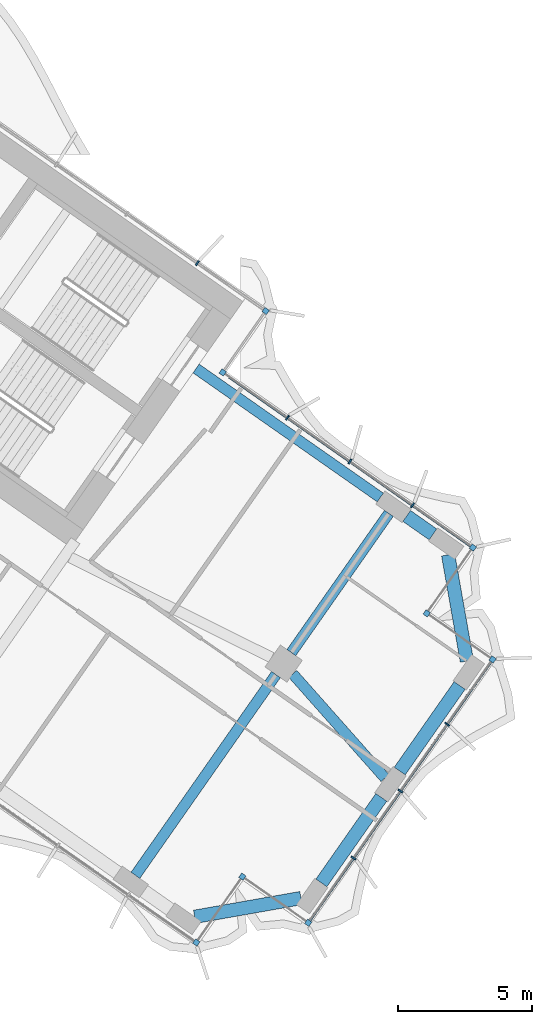
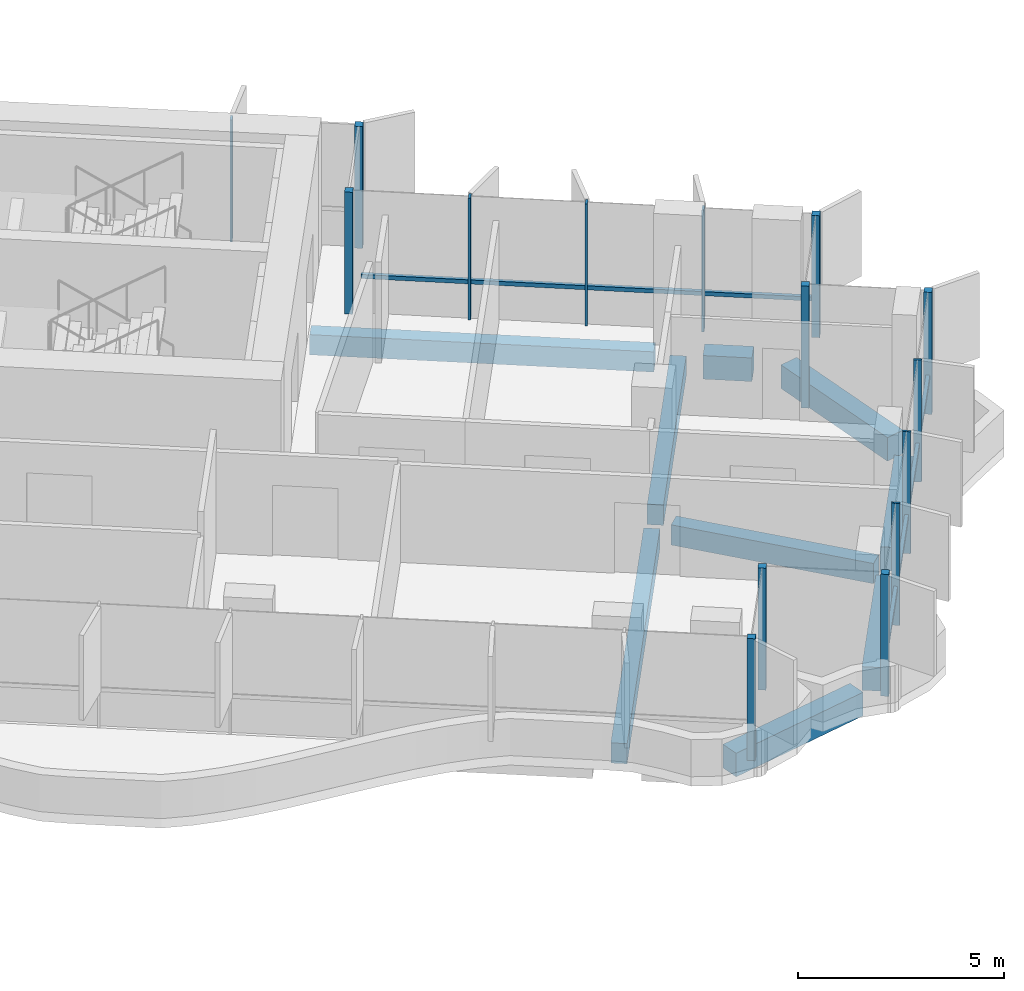
# One storey, part 11 of 23: 17 members, 9 beams, 2 elements without a shape of their own.
"""IFC4 building model written with IfcOpenShell, lengths in metres."""

from ifc_helpers import new_model, si_unit, direction, frame, origin, origin_2d, place, context, subcontext, project, spatial, rectangle, extrude, material, material_profile, profile_set, type_object, element, aggregate, save


model = new_model("IFC4")

# Units and contexts
model_context = context("Model", 3, precision=1e-05, world=origin(), true_north=direction((0.0, 1.0)))
body_context = subcontext(model_context, "Body", "Model", "MODEL_VIEW")
ifc_project = project(units=[si_unit("LENGTHUNIT", "METRE"), si_unit("AREAUNIT", "SQUARE_METRE"), si_unit("VOLUMEUNIT", "CUBIC_METRE"), si_unit("PLANEANGLEUNIT", "RADIAN"), si_unit("MASSUNIT", "GRAM", prefix="KILO")], contexts=[model_context])

# Site, building, storey
site_placement = place(None, origin())
site = spatial("IfcSite", under=ifc_project, at=site_placement, CompositionType="ELEMENT")
building_placement = place(site_placement, origin())
building = spatial("IfcBuilding", under=site, at=building_placement, Name="Tel Ilan Convention Tower", CompositionType="ELEMENT")
storey_placement = place(building_placement, frame((0.0, 0.0, 178.800048828125)))
storey = spatial("IfcBuildingStorey", under=building, at=storey_placement, Name="L41", CompositionType="ELEMENT", Elevation=178.800048828125)

# Beams
ifc_material_1 = material(Name="Concrete C40/50", Category="concrete")
ifc_material_profile_1 = material_profile(ifc_material_1, rectangle(XDim=0.39990234375, YDim=0.60009765625, at=origin_2d()), Name="RC 400x600")
ifc_profile_set_1 = profile_set([ifc_material_profile_1], Name="Concrete C40/50")
beam_type_1 = type_object("IfcBeamType", Name="Beam RC 400x600 Concrete C40/50", PredefinedType="BEAM", material=ifc_profile_set_1)
beam_1_placement = place(storey_placement, frame((33.09912109375, -14.44775390625, -0.580078125), z_axis=(-0.819147254605, 0.573583276668, 0.0), x_axis=(-0.573583276668, -0.819147254605, 0.0)))
element("IfcBeam", 1, at=beam_1_placement, inside=storey, type_object=beam_type_1, Name="L41 beam E-E-B4-core", PredefinedType="BEAM", context=body_context, shape_type="SweptSolid", body=[
    extrude(rectangle(XDim=0.39990234375, YDim=0.60009765625, at=origin_2d()), origin(), (0.0, 0.0, 1.0), 8.400146484375),
])
beam_2_placement = place(storey_placement, frame((29.830322265625, -21.03369140625, -0.580078125), z_axis=(0.663175252401, -0.748464150512, 0.0), x_axis=(0.748464150512, 0.663175252401, 0.0)))
element("IfcBeam", 2, at=beam_2_placement, inside=storey, type_object=beam_type_1, Name="L41 beam E-E-M4-end", PredefinedType="BEAM", context=body_context, shape_type="SweptSolid", body=[
    extrude(rectangle(XDim=0.39990234375, YDim=0.60009765625, at=origin_2d()), origin(), (0.0, 0.0, 1.0), 5.192626953125),
])
beam_3_placement = place(storey_placement, frame((29.20263671875, -21.058349609375, -0.580078125), z_axis=(-0.573557249804, -0.819165478519, 0.0), x_axis=(0.819165478519, -0.573557249804, 0.0)))
element("IfcBeam", 3, at=beam_3_placement, inside=storey, type_object=beam_type_1, Name="L41 beam E-E-M4-E-F4", PredefinedType="BEAM", context=body_context, shape_type="SweptSolid", body=[
    extrude(rectangle(XDim=0.39990234375, YDim=0.60009765625, at=origin_2d()), origin(), (0.0, 0.0, 1.0), 9.14990234375),
])
beam_4_placement = place(storey_placement, frame((29.7763671875, -20.2392578125, -0.580078125), z_axis=(0.573560394383, 0.819163276762, 0.0), x_axis=(-0.819163276762, 0.573560394383, 0.0)))
element("IfcBeam", 4, at=beam_4_placement, inside=storey, type_object=beam_type_1, Name="L41 beam E-E-M4-E-B4", PredefinedType="BEAM", context=body_context, shape_type="SweptSolid", body=[
    extrude(rectangle(XDim=0.39990234375, YDim=0.60009765625, at=origin_2d()), origin(), (0.0, 0.0, 1.0), 6.349853515625),
])
ifc_material_2 = material(Name="Concrete C40/50", Category="concrete")
ifc_material_profile_2 = material_profile(ifc_material_2, rectangle(XDim=0.5, YDim=0.699951171875, at=origin_2d()), Name="RC 500x700")
ifc_profile_set_2 = profile_set([ifc_material_profile_2], Name="Concrete C40/50")
beam_type_2 = type_object("IfcBeamType", Name="Beam RC 500x700 Concrete C40/50", PredefinedType="BEAM", material=ifc_profile_set_2)
beam_5_placement = place(storey_placement, frame((26.166259765625, -30.102294921875, -0.630126953125), z_axis=(0.984804894423, 0.173664388751, 0.0), x_axis=(-0.173664388751, 0.984804894423, 0.0)))
element("IfcBeam", 5, at=beam_5_placement, inside=storey, type_object=beam_type_2, Name="L41 beam E-E-FC-E-E1", PredefinedType="BEAM", context=body_context, shape_type="SweptSolid", body=[
    extrude(rectangle(XDim=0.5, YDim=0.699951171875, at=origin_2d()), origin(), (0.0, 0.0, 1.0), 4.030517578125),
])
for number, where, z_axis, x_axis, name in (
    (6, (30.8974609375, -28.837158203125, -0.630126953125), (0.573609383536, 0.819128973434, 0.0), (-0.819128973434, 0.573609383536, 0.0), "L41 beam E-E-E1-E-E2"),
    (7, (33.82275390625, -24.659423828125, -0.630126953125), (0.573567378001, 0.81915838694, 0.0), (-0.81915838694, 0.573567378001, 0.0), "L41 beam E-E-E2-E-E3"),
):
    element("IfcBeam", number, at=place(storey_placement, frame(where, z_axis=z_axis, x_axis=x_axis)), inside=storey, type_object=beam_type_2, Name=name, PredefinedType="BEAM", context=body_context, shape_type="SweptSolid", body=[
        extrude(rectangle(XDim=0.5, YDim=0.699951171875, at=origin_2d()), origin(), (0.0, 0.0, 1.0), 3.89990234375),
    ])
beam_6_placement = place(storey_placement, frame((36.330078125, -20.555419921875, -0.630126953125), z_axis=(-0.173664388751, 0.984804894423, 0.0), x_axis=(-0.984804894423, -0.173664388751, 0.0)))
element("IfcBeam", 8, at=beam_6_placement, inside=storey, type_object=beam_type_2, Name="L41 beam E-E-E3-E-BC", PredefinedType="BEAM", context=body_context, shape_type="SweptSolid", body=[
    extrude(rectangle(XDim=0.5, YDim=0.699951171875, at=origin_2d()), origin(), (0.0, 0.0, 1.0), 4.030517578125),
])
beam_7_placement = place(storey_placement, frame((35.06494140625, -15.82421875, -0.630126953125), z_axis=(-0.819155442668, 0.573571582932, 0.0), x_axis=(-0.573571582932, -0.819155442668, 0.0)))
element("IfcBeam", 9, at=beam_7_placement, inside=storey, type_object=beam_type_2, Name="L41 beam E-E-BC-E-B4", PredefinedType="BEAM", context=body_context, shape_type="SweptSolid", body=[
    extrude(rectangle(XDim=0.5, YDim=0.699951171875, at=origin_2d()), origin(), (0.0, 0.0, 1.0), 1.199951171875),
])

# Curtain wall, members
ifc_material_3 = material(Name="Aluminium, bronze anodised", Category="aluminium")
curtain_wall_type_1 = type_object("IfcCurtainWallType", Name="CW2 STICK CURTAIN WALL, SPANDREL PANELS", PredefinedType="NOTDEFINED", material=ifc_material_3)
curtain_wall_1_placement = place(storey_placement, origin())
curtain_wall_1 = element("IfcCurtainWall", 10, at=curtain_wall_1_placement, inside=storey, type_object=curtain_wall_type_1, Name="Curtain wall CW2-31.01", PredefinedType="NOTDEFINED")
ifc_material_4 = material(Name="Aluminium, bronze anodised", Category="aluminium")
ifc_material_profile_3 = material_profile(ifc_material_4, rectangle(XDim=0.199951171875, YDim=0.199951171875, at=origin_2d()), Name="CW CORNER MULLION 200x200")
ifc_profile_set_3 = profile_set([ifc_material_profile_3], Name="Aluminium, bronze anodised")
member_type_1 = type_object("IfcMemberType", Name="CW CORNER MULLION 200x200", PredefinedType="MULLION", material=ifc_profile_set_3)
member_1_placement = place(storey_placement, frame((27.213623046875, -9.77734375, 0.0), z_axis=(0.0, 0.0, 1.0), x_axis=(-0.819152044289, 0.573576436351, 0.0)))
member_1 = element("IfcMember", 11, at=member_1_placement, type_object=member_type_1, Name="Corner mullion", PredefinedType="MULLION", context=body_context, shape_type="SweptSolid", body=[
    extrude(rectangle(XDim=0.199951171875, YDim=0.199951171875, at=origin_2d()), origin(), (0.0, 0.0, 1.0), 3.619873046875),
])
member_2_placement = place(storey_placement, frame((28.819580078125, -7.483642578125, 0.0), z_axis=(0.0, 0.0, 1.0), x_axis=(0.573576436351, 0.819152044289, 0.0)))
member_2 = element("IfcMember", 12, at=member_2_placement, type_object=member_type_1, Name="Corner mullion", PredefinedType="MULLION", context=body_context, shape_type="SweptSolid", body=[
    extrude(rectangle(XDim=0.199951171875, YDim=0.199951171875, at=origin_2d()), origin(), (0.0, 0.0, 1.0), 3.619873046875),
])

ifc_material_5 = material(Name="Aluminium, bronze anodised", Category="aluminium")
curtain_wall_type_2 = type_object("IfcCurtainWallType", Name="CW4 STICK CURTAIN WALL, OFFICE TINTED GLASS", PredefinedType="NOTDEFINED", material=ifc_material_5)
curtain_wall_2_placement = place(storey_placement, origin())
curtain_wall_2 = element("IfcCurtainWall", 13, at=curtain_wall_2_placement, inside=storey, type_object=curtain_wall_type_2, Name="Curtain wall CW4-31.02", PredefinedType="NOTDEFINED")
member_3_placement = place(storey_placement, frame((26.2275390625, -31.060791015625, 0.0), z_axis=(0.0, 0.0, 1.0), x_axis=(0.819152044289, -0.573576436351, 0.0)))
member_3 = element("IfcMember", 14, at=member_3_placement, type_object=member_type_1, Name="Corner mullion", PredefinedType="MULLION", context=body_context, shape_type="SweptSolid", body=[
    extrude(rectangle(XDim=0.199951171875, YDim=0.199951171875, at=origin_2d()), origin(), (0.0, 0.0, 1.0), 3.619873046875),
])
member_4_placement = place(storey_placement, frame((27.9482421875, -28.603271484375, 0.0), z_axis=(0.0, 0.0, 1.0), x_axis=(0.573576436351, 0.819152044289, 0.0)))
member_4 = element("IfcMember", 15, at=member_4_placement, type_object=member_type_1, Name="Corner mullion", PredefinedType="MULLION", context=body_context, shape_type="SweptSolid", body=[
    extrude(rectangle(XDim=0.199951171875, YDim=0.199951171875, at=origin_2d()), origin(), (0.0, 0.0, 1.0), 3.619873046875),
])
member_5_placement = place(storey_placement, frame((30.40576171875, -30.323974609375, 0.0), z_axis=(0.0, 0.0, 1.0), x_axis=(0.819152044289, -0.573576436351, 0.0)))
member_5 = element("IfcMember", 16, at=member_5_placement, type_object=member_type_1, Name="Corner mullion", PredefinedType="MULLION", context=body_context, shape_type="SweptSolid", body=[
    extrude(rectangle(XDim=0.199951171875, YDim=0.199951171875, at=origin_2d()), origin(), (0.0, 0.0, 1.0), 3.619873046875),
])
member_6_placement = place(storey_placement, frame((37.28857421875, -20.494140625, 0.0), z_axis=(0.0, 0.0, 1.0), x_axis=(0.573576436351, 0.819152044289, 0.0)))
member_6 = element("IfcMember", 17, at=member_6_placement, type_object=member_type_1, Name="Corner mullion", PredefinedType="MULLION", context=body_context, shape_type="SweptSolid", body=[
    extrude(rectangle(XDim=0.199951171875, YDim=0.199951171875, at=origin_2d()), origin(), (0.0, 0.0, 1.0), 3.619873046875),
])
member_7_placement = place(storey_placement, frame((34.8310546875, -18.7734375, 0.0), z_axis=(0.0, 0.0, 1.0), x_axis=(-0.819152044289, 0.573576436351, 0.0)))
member_7 = element("IfcMember", 18, at=member_7_placement, type_object=member_type_1, Name="Corner mullion", PredefinedType="MULLION", context=body_context, shape_type="SweptSolid", body=[
    extrude(rectangle(XDim=0.199951171875, YDim=0.199951171875, at=origin_2d()), origin(), (0.0, 0.0, 1.0), 3.619873046875),
])
member_8_placement = place(storey_placement, frame((36.5517578125, -16.31591796875, 0.0), z_axis=(0.0, 0.0, 1.0), x_axis=(0.573576436351, 0.819152044289, 0.0)))
member_8 = element("IfcMember", 19, at=member_8_placement, type_object=member_type_1, Name="Corner mullion", PredefinedType="MULLION", context=body_context, shape_type="SweptSolid", body=[
    extrude(rectangle(XDim=0.199951171875, YDim=0.199951171875, at=origin_2d()), origin(), (0.0, 0.0, 1.0), 3.619873046875),
])

# Member
ifc_material_6 = material(Name="Aluminium, bronze anodised", Category="aluminium")
ifc_material_profile_4 = material_profile(ifc_material_6, rectangle(XDim=0.06005859375, YDim=0.199951171875, at=origin_2d()), Name="CW MULLION 60x200")
ifc_profile_set_4 = profile_set([ifc_material_profile_4], Name="Aluminium, bronze anodised")
member_type_2 = type_object("IfcMemberType", Name="CW MULLION 60x200", PredefinedType="MULLION", material=ifc_profile_set_4)
member_9_placement = place(storey_placement, frame((26.268798828125, -5.697509765625, 0.0), z_axis=(0.0, 0.0, 1.0), x_axis=(-0.819152044289, 0.573576436351, 0.0)))
member_9 = element("IfcMember", 20, at=member_9_placement, type_object=member_type_2, Name="Mullion", PredefinedType="MULLION", context=body_context, shape_type="SweptSolid", body=[
    extrude(rectangle(XDim=0.06005859375, YDim=0.199951171875, at=origin_2d()), origin(), (0.0, 0.0, 1.0), 3.619873046875),
])

aggregate(curtain_wall_1, [member_1, member_2, member_9])

member_10_placement = place(storey_placement, frame((32.09765625, -27.907470703125, 0.0), z_axis=(0.0, 0.0, 1.0), x_axis=(0.573576436351, 0.819152044289, 0.0)))
member_10 = element("IfcMember", 21, at=member_10_placement, type_object=member_type_2, Name="Mullion", PredefinedType="MULLION", context=body_context, shape_type="SweptSolid", body=[
    extrude(rectangle(XDim=0.06005859375, YDim=0.199951171875, at=origin_2d()), origin(), (0.0, 0.0, 1.0), 3.619873046875),
])

member_11_placement = place(storey_placement, frame((33.84716796875, -25.4091796875, 0.0), z_axis=(0.0, 0.0, 1.0), x_axis=(0.573576436351, 0.819152044289, 0.0)))
member_11 = element("IfcMember", 22, at=member_11_placement, type_object=member_type_2, Name="Mullion", PredefinedType="MULLION", context=body_context, shape_type="SweptSolid", body=[
    extrude(rectangle(XDim=0.06005859375, YDim=0.199951171875, at=origin_2d()), origin(), (0.0, 0.0, 1.0), 3.619873046875),
])

member_12_placement = place(storey_placement, frame((35.596435546875, -22.91064453125, 0.0), z_axis=(0.0, 0.0, 1.0), x_axis=(0.573576436351, 0.819152044289, 0.0)))
member_12 = element("IfcMember", 23, at=member_12_placement, type_object=member_type_2, Name="Mullion", PredefinedType="MULLION", context=body_context, shape_type="SweptSolid", body=[
    extrude(rectangle(XDim=0.06005859375, YDim=0.199951171875, at=origin_2d()), origin(), (0.0, 0.0, 1.0), 3.619873046875),
])

member_13_placement = place(storey_placement, frame((34.299072265625, -14.73876953125, 0.0), z_axis=(0.0, 0.0, 1.0), x_axis=(-0.819152044289, 0.573576436351, 0.0)))
member_13 = element("IfcMember", 24, at=member_13_placement, type_object=member_type_2, Name="Mullion", PredefinedType="MULLION", context=body_context, shape_type="SweptSolid", body=[
    extrude(rectangle(XDim=0.06005859375, YDim=0.199951171875, at=origin_2d()), origin(), (0.0, 0.0, 1.0), 3.619873046875),
])

member_14_placement = place(storey_placement, frame((31.964599609375, -13.10400390625, 0.0), z_axis=(0.0, 0.0, 1.0), x_axis=(-0.819152044289, 0.573576436351, 0.0)))
member_14 = element("IfcMember", 25, at=member_14_placement, type_object=member_type_2, Name="Mullion", PredefinedType="MULLION", context=body_context, shape_type="SweptSolid", body=[
    extrude(rectangle(XDim=0.06005859375, YDim=0.199951171875, at=origin_2d()), origin(), (0.0, 0.0, 1.0), 3.619873046875),
])

member_15_placement = place(storey_placement, frame((29.630126953125, -11.46923828125, 0.0), z_axis=(0.0, 0.0, 1.0), x_axis=(-0.819152044289, 0.573576436351, 0.0)))
member_15 = element("IfcMember", 26, at=member_15_placement, type_object=member_type_2, Name="Mullion", PredefinedType="MULLION", context=body_context, shape_type="SweptSolid", body=[
    extrude(rectangle(XDim=0.06005859375, YDim=0.199951171875, at=origin_2d()), origin(), (0.0, 0.0, 1.0), 3.619873046875),
])

ifc_material_7 = material(Name="Aluminium, bronze anodised", Category="aluminium")
ifc_material_profile_5 = material_profile(ifc_material_7, rectangle(XDim=0.10009765625, YDim=0.1201171875, at=origin_2d()), Name="CW TRANSOM 100x120")
ifc_profile_set_5 = profile_set([ifc_material_profile_5], Name="Aluminium, bronze anodised")
member_type_3 = type_object("IfcMemberType", Name="CW TRANSOM 100x120", PredefinedType="USERDEFINED", material=ifc_profile_set_5)
member_16_placement = place(storey_placement, frame((30.463134765625, -30.2421875, 1.099853515625), z_axis=(0.573567872435, 0.819158040741, 0.0), x_axis=(-0.819158040741, 0.573567872435, 0.0)))
member_16 = element("IfcMember", 27, at=member_16_placement, type_object=member_type_3, Name="Transom", ObjectType="TRANSOM", PredefinedType="USERDEFINED", context=body_context, shape_type="SweptSolid", body=[
    extrude(rectangle(XDim=0.10009765625, YDim=0.1201171875, at=origin_2d()), origin(), (0.0, 0.0, 1.0), 11.800048828125),
])

member_17_placement = place(storey_placement, frame((36.469970703125, -16.258544921875, 1.099853515625), z_axis=(-0.819154753687, 0.57357256691, 0.0), x_axis=(-0.57357256691, -0.819154753687, 0.0)))
member_17 = element("IfcMember", 28, at=member_17_placement, type_object=member_type_3, Name="Transom", ObjectType="TRANSOM", PredefinedType="USERDEFINED", context=body_context, shape_type="SweptSolid", body=[
    extrude(rectangle(XDim=0.10009765625, YDim=0.1201171875, at=origin_2d()), origin(), (0.0, 0.0, 1.0), 11.0),
])

aggregate(curtain_wall_2, [member_3, member_4, member_5, member_10, member_11, member_12, member_6, member_16, member_7, member_8, member_13, member_14, member_15, member_17])

save(model, "model.ifc")
